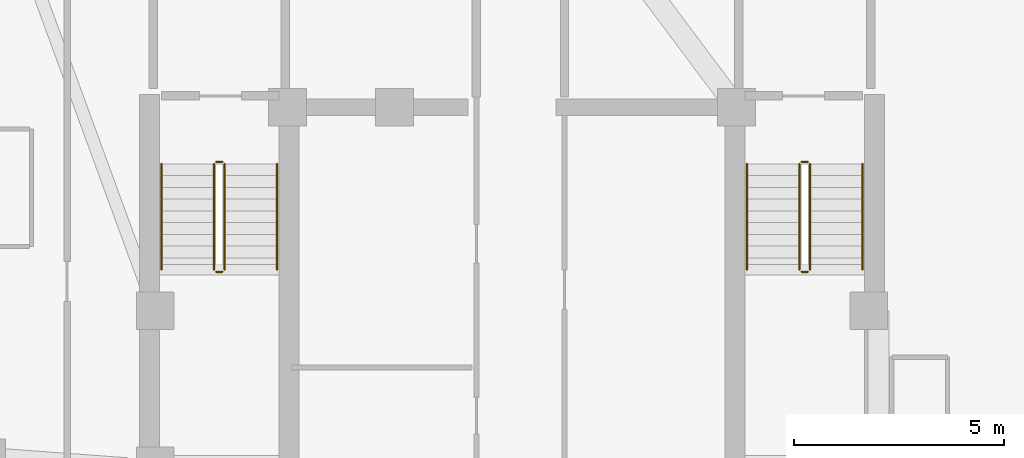
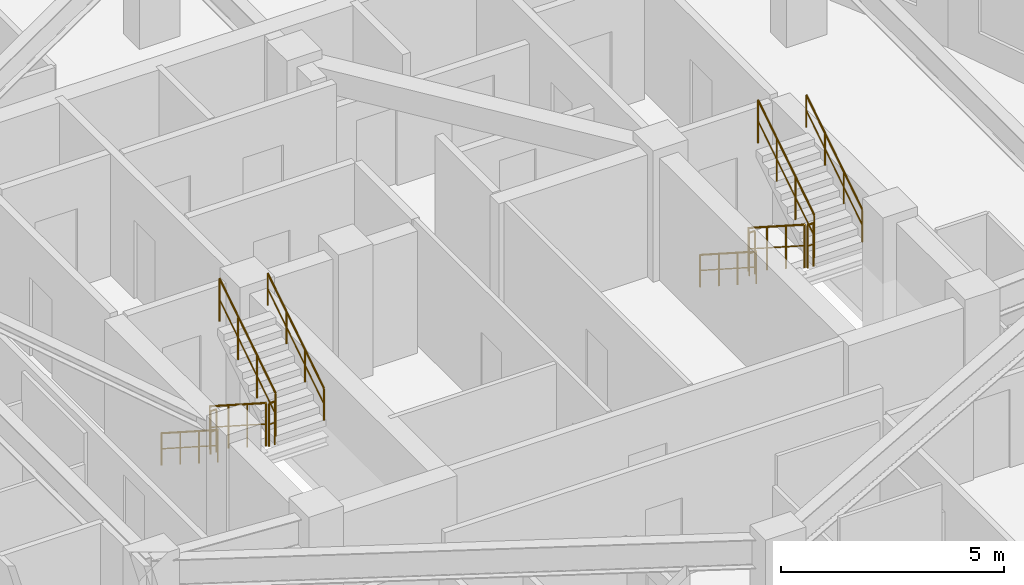
# One storey, part 8 of 8: 12 railings.
"""IFC4 building model written with IfcOpenShell, lengths in metres."""

from ifc_helpers import new_model, si_unit, direction, frame, origin, origin_2d, place, context, subcontext, project, spatial, circle, extrude, material, type_object, element, save


model = new_model("IFC4")

# Units and contexts
model_context = context("Model", 3, precision=1e-05, world=origin(), true_north=direction((0.0, 1.0)))
body_context = subcontext(model_context, "Body", "Model", "MODEL_VIEW")
ifc_project = project(units=[si_unit("LENGTHUNIT", "METRE"), si_unit("AREAUNIT", "SQUARE_METRE"), si_unit("VOLUMEUNIT", "CUBIC_METRE"), si_unit("PLANEANGLEUNIT", "RADIAN"), si_unit("MASSUNIT", "GRAM", prefix="KILO")], contexts=[model_context])

# Site, building, storey
site_placement = place(None, origin())
site = spatial("IfcSite", under=ifc_project, at=site_placement, CompositionType="ELEMENT")
building_placement = place(site_placement, origin())
building = spatial("IfcBuilding", under=site, at=building_placement, Name="Miruveldt Soraemaru", CompositionType="ELEMENT")
storey_placement = place(building_placement, frame((0.0, 0.0, 212.39990234375)))
storey = spatial("IfcBuildingStorey", under=building, at=storey_placement, Name="L58", CompositionType="ELEMENT", Elevation=212.39990234375)

# Railings
ifc_material = material(Name="Steel S355 (355 MPa)", Category="steel")
railing_type_1 = type_object("IfcRailingType", Name="RAIL-HR-900", PredefinedType="HANDRAIL", material=ifc_material)
railing_1_placement = place(storey_placement, frame((35.64990234375, 42.699951171875, 0.18017578125)))
element("IfcRailing", 1, at=railing_1_placement, inside=storey, type_object=railing_type_1, Name="L58 ST-1 stair handrail 1", PredefinedType="HANDRAIL", context=body_context, shape_type="SweptSolid", body=[
    extrude(circle(Radius=0.02392578125, at=origin_2d()), frame((0.0, 0.0, 0.8759765625), z_axis=(0.0, -0.841199657755, 0.540724639528), x_axis=(1.0, 0.0, 0.0)), (0.0, 0.0, 1.0), 2.995849609375),
    extrude(circle(Radius=0.01611328125, at=origin_2d()), frame((0.0, 0.0, 0.449951171875), z_axis=(0.0, -0.841199657755, 0.540724639528), x_axis=(1.0, 0.0, 0.0)), (0.0, 0.0, 1.0), 2.995849609375),
    extrude(circle(Radius=0.02099609375, at=origin_2d()), origin(), (0.0, 0.0, 1.0), 0.851806640625),
    extrude(circle(Radius=0.02099609375, at=origin_2d()), frame((0.0, -0.840087890625, 0.5400390625)), (0.0, 0.0, 1.0), 0.851806640625),
    extrude(circle(Radius=0.02099609375, at=origin_2d()), frame((0.0, -1.679931640625, 1.079833984375)), (0.0, 0.0, 1.0), 0.851806640625),
    extrude(circle(Radius=0.02099609375, at=origin_2d()), frame((0.0, -2.52001953125, 1.619873046875)), (0.0, 0.0, 1.0), 0.851806640625),
])
railing_2_placement = place(storey_placement, frame((38.39990234375, 40.179931640625, 1.97998046875)))
element("IfcRailing", 2, at=railing_2_placement, inside=storey, type_object=railing_type_1, Name="L58 ST-1 stair handrail 2", PredefinedType="HANDRAIL", context=body_context, shape_type="SweptSolid", body=[
    extrude(circle(Radius=0.02392578125, at=origin_2d()), frame((0.0, 0.0, 0.8759765625), z_axis=(0.0, 0.841162588446, 0.540782303519), x_axis=(-1.0, 0.0, 0.0)), (0.0, 0.0, 1.0), 2.995849609375),
    extrude(circle(Radius=0.01611328125, at=origin_2d()), frame((0.0, 0.0, 0.449951171875), z_axis=(0.0, 0.841162588446, 0.540782303519), x_axis=(-1.0, 0.0, 0.0)), (0.0, 0.0, 1.0), 2.995849609375),
    extrude(circle(Radius=0.02099609375, at=origin_2d()), origin(), (0.0, 0.0, 1.0), 0.851806640625),
    extrude(circle(Radius=0.02099609375, at=origin_2d()), frame((0.0, 0.840087890625, 0.5400390625)), (0.0, 0.0, 1.0), 0.851806640625),
    extrude(circle(Radius=0.02099609375, at=origin_2d()), frame((0.0, 1.679931640625, 1.080078125)), (0.0, 0.0, 1.0), 0.851806640625),
    extrude(circle(Radius=0.02099609375, at=origin_2d()), frame((0.0, 2.52001953125, 1.6201171875)), (0.0, 0.0, 1.0), 0.851806640625),
])
railing_3_placement = place(storey_placement, frame((49.60009765625, 42.699951171875, 0.18017578125)))
element("IfcRailing", 3, at=railing_3_placement, inside=storey, type_object=railing_type_1, Name="L58 ST-2 stair handrail 1", PredefinedType="HANDRAIL", context=body_context, shape_type="SweptSolid", body=[
    extrude(circle(Radius=0.02392578125, at=origin_2d()), frame((0.0, 0.0, 0.8759765625), z_axis=(0.0, -0.841199657755, 0.540724639528), x_axis=(1.0, 0.0, 0.0)), (0.0, 0.0, 1.0), 2.995849609375),
    extrude(circle(Radius=0.01611328125, at=origin_2d()), frame((0.0, 0.0, 0.449951171875), z_axis=(0.0, -0.841199657755, 0.540724639528), x_axis=(1.0, 0.0, 0.0)), (0.0, 0.0, 1.0), 2.995849609375),
    extrude(circle(Radius=0.02099609375, at=origin_2d()), origin(), (0.0, 0.0, 1.0), 0.851806640625),
    extrude(circle(Radius=0.02099609375, at=origin_2d()), frame((0.0, -0.840087890625, 0.5400390625)), (0.0, 0.0, 1.0), 0.851806640625),
    extrude(circle(Radius=0.02099609375, at=origin_2d()), frame((0.0, -1.679931640625, 1.079833984375)), (0.0, 0.0, 1.0), 0.851806640625),
    extrude(circle(Radius=0.02099609375, at=origin_2d()), frame((0.0, -2.52001953125, 1.619873046875)), (0.0, 0.0, 1.0), 0.851806640625),
])
railing_4_placement = place(storey_placement, frame((52.35009765625, 40.179931640625, 1.97998046875)))
element("IfcRailing", 4, at=railing_4_placement, inside=storey, type_object=railing_type_1, Name="L58 ST-2 stair handrail 2", PredefinedType="HANDRAIL", context=body_context, shape_type="SweptSolid", body=[
    extrude(circle(Radius=0.02392578125, at=origin_2d()), frame((0.0, 0.0, 0.8759765625), z_axis=(0.0, 0.841162588446, 0.540782303519), x_axis=(-1.0, 0.0, 0.0)), (0.0, 0.0, 1.0), 2.995849609375),
    extrude(circle(Radius=0.01611328125, at=origin_2d()), frame((0.0, 0.0, 0.449951171875), z_axis=(0.0, 0.841162588446, 0.540782303519), x_axis=(-1.0, 0.0, 0.0)), (0.0, 0.0, 1.0), 2.995849609375),
    extrude(circle(Radius=0.02099609375, at=origin_2d()), origin(), (0.0, 0.0, 1.0), 0.851806640625),
    extrude(circle(Radius=0.02099609375, at=origin_2d()), frame((0.0, 0.840087890625, 0.5400390625)), (0.0, 0.0, 1.0), 0.851806640625),
    extrude(circle(Radius=0.02099609375, at=origin_2d()), frame((0.0, 1.679931640625, 1.080078125)), (0.0, 0.0, 1.0), 0.851806640625),
    extrude(circle(Radius=0.02099609375, at=origin_2d()), frame((0.0, 2.52001953125, 1.6201171875)), (0.0, 0.0, 1.0), 0.851806640625),
])
railing_type_2 = type_object("IfcRailingType", Name="RAIL-STGUARD-1200", PredefinedType="GUARDRAIL", material=ifc_material)
railing_5_placement = place(storey_placement, frame((36.89990234375, 42.699951171875, 0.18017578125)))
element("IfcRailing", 5, at=railing_5_placement, inside=storey, type_object=railing_type_2, Name="L58 ST-1 stair guard 1", PredefinedType="GUARDRAIL", context=body_context, shape_type="SweptSolid", body=[
    extrude(circle(Radius=0.02392578125, at=origin_2d()), frame((0.0, 0.0, 1.17578125), z_axis=(0.0, -0.841199657755, 0.540724639528), x_axis=(1.0, 0.0, 0.0)), (0.0, 0.0, 1.0), 2.995849609375),
    extrude(circle(Radius=0.01611328125, at=origin_2d()), frame((0.0, 0.0, 0.60009765625), z_axis=(0.0, -0.841199657755, 0.540724639528), x_axis=(1.0, 0.0, 0.0)), (0.0, 0.0, 1.0), 2.995849609375),
    extrude(circle(Radius=0.02099609375, at=origin_2d()), origin(), (0.0, 0.0, 1.0), 1.15185546875),
    extrude(circle(Radius=0.02099609375, at=origin_2d()), frame((0.0, -0.840087890625, 0.5400390625)), (0.0, 0.0, 1.0), 1.15185546875),
    extrude(circle(Radius=0.02099609375, at=origin_2d()), frame((0.0, -1.679931640625, 1.079833984375)), (0.0, 0.0, 1.0), 1.15185546875),
    extrude(circle(Radius=0.02099609375, at=origin_2d()), frame((0.0, -2.52001953125, 1.619873046875)), (0.0, 0.0, 1.0), 1.15185546875),
])
railing_6_placement = place(storey_placement, frame((36.949951171875, 40.1298828125, 1.800048828125)))
element("IfcRailing", 6, at=railing_6_placement, inside=storey, type_object=railing_type_2, Name="L58 ST-1 stair guard 2", PredefinedType="GUARDRAIL", context=body_context, shape_type="SweptSolid", body=[
    extrude(circle(Radius=0.02392578125, at=origin_2d()), frame((0.0, 0.0, 1.17578125), z_axis=(1.0, 0.0, 0.0), x_axis=(0.0, 1.0, 0.0)), (0.0, 0.0, 1.0), 0.150146484375),
    extrude(circle(Radius=0.01611328125, at=origin_2d()), frame((0.0, 0.0, 0.60009765625), z_axis=(1.0, 0.0, 0.0), x_axis=(0.0, 1.0, 0.0)), (0.0, 0.0, 1.0), 0.150146484375),
    extrude(circle(Radius=0.02099609375, at=origin_2d()), origin(), (0.0, 0.0, 1.0), 1.15185546875),
    extrude(circle(Radius=0.02099609375, at=origin_2d()), frame((0.150146484375, 0.0, 0.0)), (0.0, 0.0, 1.0), 1.15185546875),
])
railing_7_placement = place(storey_placement, frame((37.14990234375, 40.179931640625, 1.97998046875)))
element("IfcRailing", 7, at=railing_7_placement, inside=storey, type_object=railing_type_2, Name="L58 ST-1 stair guard 3", PredefinedType="GUARDRAIL", context=body_context, shape_type="SweptSolid", body=[
    extrude(circle(Radius=0.02392578125, at=origin_2d()), frame((0.0, 0.0, 1.17578125), z_axis=(0.0, 0.841162588446, 0.540782303519), x_axis=(-1.0, 0.0, 0.0)), (0.0, 0.0, 1.0), 2.995849609375),
    extrude(circle(Radius=0.01611328125, at=origin_2d()), frame((0.0, 0.0, 0.60009765625), z_axis=(0.0, 0.841162588446, 0.540782303519), x_axis=(-1.0, 0.0, 0.0)), (0.0, 0.0, 1.0), 2.995849609375),
    extrude(circle(Radius=0.02099609375, at=origin_2d()), origin(), (0.0, 0.0, 1.0), 1.15185546875),
    extrude(circle(Radius=0.02099609375, at=origin_2d()), frame((0.0, 0.840087890625, 0.5400390625)), (0.0, 0.0, 1.0), 1.15185546875),
    extrude(circle(Radius=0.02099609375, at=origin_2d()), frame((0.0, 1.679931640625, 1.080078125)), (0.0, 0.0, 1.0), 1.15185546875),
    extrude(circle(Radius=0.02099609375, at=origin_2d()), frame((0.0, 2.52001953125, 1.6201171875)), (0.0, 0.0, 1.0), 1.15185546875),
])
railing_8_placement = place(storey_placement, frame((36.949951171875, 42.75, 0.0)))
element("IfcRailing", 8, at=railing_8_placement, inside=storey, type_object=railing_type_2, Name="L58 ST-1 stair guard 4", PredefinedType="GUARDRAIL", context=body_context, shape_type="SweptSolid", body=[
    extrude(circle(Radius=0.02392578125, at=origin_2d()), frame((0.0, 0.0, 1.17578125), z_axis=(1.0, 0.0, 0.0), x_axis=(0.0, 1.0, 0.0)), (0.0, 0.0, 1.0), 0.150146484375),
    extrude(circle(Radius=0.01611328125, at=origin_2d()), frame((0.0, 0.0, 0.60009765625), z_axis=(1.0, 0.0, 0.0), x_axis=(0.0, 1.0, 0.0)), (0.0, 0.0, 1.0), 0.150146484375),
    extrude(circle(Radius=0.02099609375, at=origin_2d()), origin(), (0.0, 0.0, 1.0), 1.15185546875),
    extrude(circle(Radius=0.02099609375, at=origin_2d()), frame((0.150146484375, 0.0, 0.0)), (0.0, 0.0, 1.0), 1.15185546875),
])
railing_9_placement = place(storey_placement, frame((50.85009765625, 42.699951171875, 0.18017578125)))
element("IfcRailing", 9, at=railing_9_placement, inside=storey, type_object=railing_type_2, Name="L58 ST-2 stair guard 1", PredefinedType="GUARDRAIL", context=body_context, shape_type="SweptSolid", body=[
    extrude(circle(Radius=0.02392578125, at=origin_2d()), frame((0.0, 0.0, 1.17578125), z_axis=(0.0, -0.841199657755, 0.540724639528), x_axis=(1.0, 0.0, 0.0)), (0.0, 0.0, 1.0), 2.995849609375),
    extrude(circle(Radius=0.01611328125, at=origin_2d()), frame((0.0, 0.0, 0.60009765625), z_axis=(0.0, -0.841199657755, 0.540724639528), x_axis=(1.0, 0.0, 0.0)), (0.0, 0.0, 1.0), 2.995849609375),
    extrude(circle(Radius=0.02099609375, at=origin_2d()), origin(), (0.0, 0.0, 1.0), 1.15185546875),
    extrude(circle(Radius=0.02099609375, at=origin_2d()), frame((0.0, -0.840087890625, 0.5400390625)), (0.0, 0.0, 1.0), 1.15185546875),
    extrude(circle(Radius=0.02099609375, at=origin_2d()), frame((0.0, -1.679931640625, 1.079833984375)), (0.0, 0.0, 1.0), 1.15185546875),
    extrude(circle(Radius=0.02099609375, at=origin_2d()), frame((0.0, -2.52001953125, 1.619873046875)), (0.0, 0.0, 1.0), 1.15185546875),
])
railing_10_placement = place(storey_placement, frame((50.89990234375, 40.1298828125, 1.800048828125)))
element("IfcRailing", 10, at=railing_10_placement, inside=storey, type_object=railing_type_2, Name="L58 ST-2 stair guard 2", PredefinedType="GUARDRAIL", context=body_context, shape_type="SweptSolid", body=[
    extrude(circle(Radius=0.02392578125, at=origin_2d()), frame((0.0, 0.0, 1.17578125), z_axis=(1.0, 0.0, 0.0), x_axis=(0.0, 1.0, 0.0)), (0.0, 0.0, 1.0), 0.150146484375),
    extrude(circle(Radius=0.01611328125, at=origin_2d()), frame((0.0, 0.0, 0.60009765625), z_axis=(1.0, 0.0, 0.0), x_axis=(0.0, 1.0, 0.0)), (0.0, 0.0, 1.0), 0.150146484375),
    extrude(circle(Radius=0.02099609375, at=origin_2d()), origin(), (0.0, 0.0, 1.0), 1.15185546875),
    extrude(circle(Radius=0.02099609375, at=origin_2d()), frame((0.150146484375, 0.0, 0.0)), (0.0, 0.0, 1.0), 1.15185546875),
])
railing_11_placement = place(storey_placement, frame((51.10009765625, 40.179931640625, 1.97998046875)))
element("IfcRailing", 11, at=railing_11_placement, inside=storey, type_object=railing_type_2, Name="L58 ST-2 stair guard 3", PredefinedType="GUARDRAIL", context=body_context, shape_type="SweptSolid", body=[
    extrude(circle(Radius=0.02392578125, at=origin_2d()), frame((0.0, 0.0, 1.17578125), z_axis=(0.0, 0.841162588446, 0.540782303519), x_axis=(-1.0, 0.0, 0.0)), (0.0, 0.0, 1.0), 2.995849609375),
    extrude(circle(Radius=0.01611328125, at=origin_2d()), frame((0.0, 0.0, 0.60009765625), z_axis=(0.0, 0.841162588446, 0.540782303519), x_axis=(-1.0, 0.0, 0.0)), (0.0, 0.0, 1.0), 2.995849609375),
    extrude(circle(Radius=0.02099609375, at=origin_2d()), origin(), (0.0, 0.0, 1.0), 1.15185546875),
    extrude(circle(Radius=0.02099609375, at=origin_2d()), frame((0.0, 0.840087890625, 0.5400390625)), (0.0, 0.0, 1.0), 1.15185546875),
    extrude(circle(Radius=0.02099609375, at=origin_2d()), frame((0.0, 1.679931640625, 1.080078125)), (0.0, 0.0, 1.0), 1.15185546875),
    extrude(circle(Radius=0.02099609375, at=origin_2d()), frame((0.0, 2.52001953125, 1.6201171875)), (0.0, 0.0, 1.0), 1.15185546875),
])
railing_12_placement = place(storey_placement, frame((50.89990234375, 42.75, 0.0)))
element("IfcRailing", 12, at=railing_12_placement, inside=storey, type_object=railing_type_2, Name="L58 ST-2 stair guard 4", PredefinedType="GUARDRAIL", context=body_context, shape_type="SweptSolid", body=[
    extrude(circle(Radius=0.02392578125, at=origin_2d()), frame((0.0, 0.0, 1.17578125), z_axis=(1.0, 0.0, 0.0), x_axis=(0.0, 1.0, 0.0)), (0.0, 0.0, 1.0), 0.150146484375),
    extrude(circle(Radius=0.01611328125, at=origin_2d()), frame((0.0, 0.0, 0.60009765625), z_axis=(1.0, 0.0, 0.0), x_axis=(0.0, 1.0, 0.0)), (0.0, 0.0, 1.0), 0.150146484375),
    extrude(circle(Radius=0.02099609375, at=origin_2d()), origin(), (0.0, 0.0, 1.0), 1.15185546875),
    extrude(circle(Radius=0.02099609375, at=origin_2d()), frame((0.150146484375, 0.0, 0.0)), (0.0, 0.0, 1.0), 1.15185546875),
])

save(model, "model.ifc")
